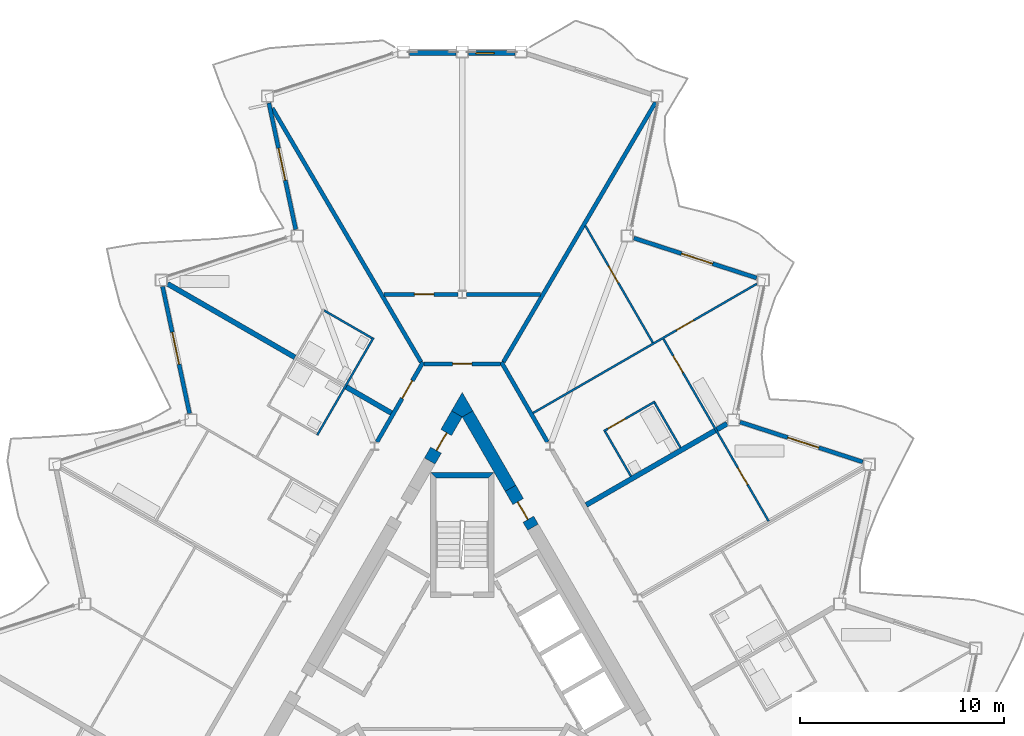
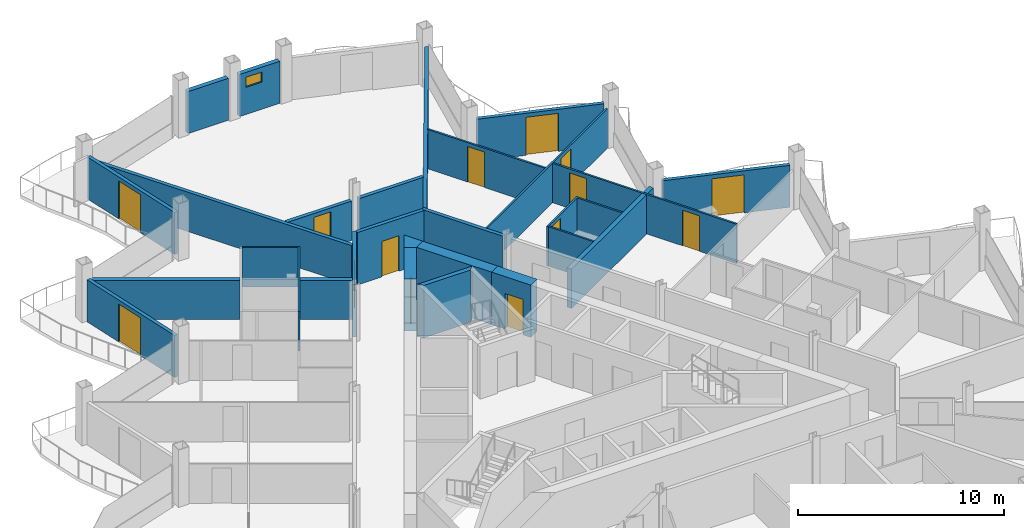
# One storey, part 17 of 26: 29 walls, 14 doors, 1 window, 15 openings.
"""IFC4 building model written with IfcOpenShell, lengths in metres."""

from ifc_helpers import new_model, si_unit, direction, frame, frame_2d, origin, place, context, subcontext, project, spatial, polyline, rectangle, outline, extrude, material, layer, layer_set, type_object, element, fill, save


model = new_model("IFC4")

# Units and contexts
model_context = context("Model", 3, precision=1e-05, world=origin(), true_north=direction((0.0, 1.0)))
body_context = subcontext(model_context, "Body", "Model", "MODEL_VIEW")
ifc_project = project(units=[si_unit("LENGTHUNIT", "METRE"), si_unit("AREAUNIT", "SQUARE_METRE"), si_unit("VOLUMEUNIT", "CUBIC_METRE"), si_unit("PLANEANGLEUNIT", "RADIAN"), si_unit("MASSUNIT", "GRAM", prefix="KILO")], contexts=[model_context])

# Site, building, storey
site_placement = place(None, origin())
site = spatial("IfcSite", under=ifc_project, at=site_placement, CompositionType="ELEMENT")
building_placement = place(site_placement, origin())
building = spatial("IfcBuilding", under=site, at=building_placement, Name="Cormorant Prow Tower", CompositionType="ELEMENT")
storey_placement = place(building_placement, frame((0.0, 0.0, 342.60009765625)))
storey = spatial("IfcBuildingStorey", under=building, at=storey_placement, Name="L77", CompositionType="ELEMENT", Elevation=342.60009765625)

# Walls
ifc_material_1 = material(Name="Concrete 8000 psi", Category="concrete")
ifc_layer_1 = layer(ifc_material_1, 0.60009765625)
ifc_layer_set_1 = layer_set([ifc_layer_1], Name="Concrete 8000 psi")
wall_type_1 = type_object("IfcWallType", Name="Core shear wall 600", PredefinedType="SHEAR", material=ifc_layer_set_1)
wall_1_placement = place(storey_placement, frame((2.36083984375, 10.322021484375, 0.0), z_axis=(0.0, 0.0, 1.0), x_axis=(-0.500000735859, 0.866024978935, 0.0)))
element("IfcWall", 1, at=wall_1_placement, inside=storey, type_object=wall_type_1, Name="Core wall", PredefinedType="SHEAR", context=body_context, shape_type="SweptSolid", body=[
    extrude(rectangle(XDim=4.2021484375, YDim=0.60009765625, at=frame_2d((2.10107421875, 0.0))), origin(), (0.0, 0.0, 1.0), 3.099853515625),
])
wall_2_placement = place(storey_placement, origin())
element("IfcWall", 2, at=wall_2_placement, inside=storey, type_object=wall_type_1, Name="Core wall corner", PredefinedType="SHEAR", context=body_context, shape_type="SweptSolid", body=[
    extrude(outline(polyline([(0.0, 13.81103515625), (-0.51953125, 14.111083984375), (0.0, 15.010986328125), (0.51953125, 14.111083984375), (0.0, 13.81103515625)])), origin(), (0.0, 0.0, 1.0), 3.099853515625),
])

# Wall, opening, door
wall_3_placement = place(storey_placement, frame((3.460693359375, 8.416748046875, 0.0), z_axis=(0.0, 0.0, 1.0), x_axis=(-0.499946605688, 0.86605622881, 0.0)))
wall_3 = element("IfcWall", 3, at=wall_3_placement, inside=storey, type_object=wall_type_1, Name="Core wall door panel", PredefinedType="SHEAR", context=body_context, shape_type="SweptSolid", body=[
    extrude(rectangle(XDim=2.199951171875, YDim=0.60009765625, at=frame_2d((1.10009765625, 0.0))), origin(), (0.0, 0.0, 1.0), 3.099853515625),
])
opening_1_placement = place(wall_3_placement, frame((0.449951171875, 0.0, 0.0)))
opening_1 = element("IfcOpeningElement", 4, at=opening_1_placement, cuts=wall_3, Name="Opening L77-C17", PredefinedType="OPENING", context=body_context, shape_type="SweptSolid", body=[
    extrude(rectangle(XDim=1.0, YDim=2.10009765625, at=frame_2d((0.5, 1.050048828125))), frame((0.0, 0.31005859375, 0.0), z_axis=(0.0, -1.0, 0.0), x_axis=(1.0, 0.0, 0.0)), (0.0, 0.0, 1.0), 0.6201171875),
])
ifc_material_2 = material(Name="Painted steel", Category="steel")
door_type_1 = type_object("IfcDoorType", Name="Service door 1000x2100", OperationType="NOTDEFINED", PredefinedType="DOOR", material=ifc_material_2)
door_1_placement = place(opening_1_placement, origin())
door_1 = element("IfcDoor", 5, at=door_1_placement, inside=storey, type_object=door_type_1, Name="Core door, Mechanical riser room", OperationType="SINGLE_SWING_RIGHT", OverallHeight=2.10009765625, OverallWidth=1.0, PredefinedType="DOOR", context=body_context, shape_type="SweptSolid", body=[
    extrude(rectangle(XDim=1.0, YDim=2.10009765625, at=frame_2d((0.5, 1.050048828125))), frame((0.0, 0.05517578125, 0.0), z_axis=(0.0, -1.0, 0.0), x_axis=(1.0, 0.0, 0.0)), (0.0, 0.0, 1.0), 0.050048828125),
])
fill(opening_1, door_1)

wall_4_placement = place(storey_placement, frame((-0.259765625, 13.961181640625, 0.0), z_axis=(0.0, 0.0, 1.0), x_axis=(-0.49997936161, -0.866037319036, 0.0)))
wall_4 = element("IfcWall", 6, at=wall_4_placement, inside=storey, type_object=wall_type_1, Name="Core wall door panel", PredefinedType="SHEAR", context=body_context, shape_type="SweptSolid", body=[
    extrude(rectangle(XDim=2.65966796875, YDim=0.60009765625, at=frame_2d((1.329833984375, 0.0))), origin(), (0.0, 0.0, 1.0), 3.099853515625),
])
opening_2_placement = place(wall_4_placement, frame((1.050048828125, 0.0, 0.0)))
opening_2 = element("IfcOpeningElement", 7, at=opening_2_placement, cuts=wall_4, Name="Opening L77-C19", PredefinedType="OPENING", context=body_context, shape_type="SweptSolid", body=[
    extrude(rectangle(XDim=1.0, YDim=2.10009765625, at=frame_2d((0.5, 1.050048828125))), frame((0.0, 0.31005859375, 0.0), z_axis=(0.0, -1.0, 0.0), x_axis=(1.0, 0.0, 0.0)), (0.0, 0.0, 1.0), 0.6201171875),
])
door_2_placement = place(opening_2_placement, origin())
door_2 = element("IfcDoor", 8, at=door_2_placement, inside=storey, type_object=door_type_1, Name="Core door, Mechanical riser room", OperationType="SINGLE_SWING_RIGHT", OverallHeight=2.10009765625, OverallWidth=1.0, PredefinedType="DOOR", context=body_context, shape_type="SweptSolid", body=[
    extrude(rectangle(XDim=1.0, YDim=2.10009765625, at=frame_2d((0.5, 1.050048828125))), frame((0.0, 0.05517578125, 0.0), z_axis=(0.0, -1.0, 0.0), x_axis=(1.0, 0.0, 0.0)), (0.0, 0.0, 1.0), 0.050048828125),
])
fill(opening_2, door_2)

ifc_material_3 = material(Name="Gypsum board corridor wall")
ifc_layer_2 = layer(ifc_material_3, 0.199951171875)
ifc_layer_set_2 = layer_set([ifc_layer_2], Name="Gypsum board corridor wall")
wall_type_2 = type_object("IfcWallType", Name="Corridor wall 200", PredefinedType="PARTITIONING", material=ifc_layer_set_2)
wall_5_placement = place(storey_placement, frame((-4.169189453125, 12.589599609375, 0.0), z_axis=(0.0, 0.0, 1.0), x_axis=(0.499950370306, 0.866054055606, 0.0)))
wall_5 = element("IfcWall", 9, at=wall_5_placement, inside=storey, type_object=wall_type_2, Name="Corridor wall", PredefinedType="PARTITIONING", context=body_context, shape_type="SweptSolid", body=[
    extrude(rectangle(XDim=4.5126953125, YDim=0.199951171875, at=frame_2d((2.25634765625, 0.0))), origin(), (0.0, 0.0, 1.0), 3.099853515625),
])
opening_3_placement = place(wall_5_placement, frame((2.459228515625, 0.0, 0.0)))
opening_3 = element("IfcOpeningElement", 10, at=opening_3_placement, cuts=wall_5, Name="Opening L77-F40", PredefinedType="OPENING", context=body_context, shape_type="SweptSolid", body=[
    extrude(rectangle(XDim=1.0, YDim=2.10009765625, at=frame_2d((0.5, 1.050048828125))), frame((0.0, 0.10986328125, 0.0), z_axis=(0.0, -1.0, 0.0), x_axis=(1.0, 0.0, 0.0)), (0.0, 0.0, 1.0), 0.219970703125),
])
ifc_material_4 = material(Name="Timber door leaf", Category="wood")
door_type_2 = type_object("IfcDoorType", Name="Flat or room entrance door 1000x2100", OperationType="NOTDEFINED", PredefinedType="DOOR", material=ifc_material_4)
door_3_placement = place(opening_3_placement, origin())
door_3 = element("IfcDoor", 11, at=door_3_placement, inside=storey, type_object=door_type_2, Name="Studio living, kitchen and sleeping room door", OperationType="SINGLE_SWING_LEFT", OverallHeight=2.10009765625, OverallWidth=1.0, PredefinedType="DOOR", context=body_context, shape_type="SweptSolid", body=[
    extrude(rectangle(XDim=1.0, YDim=2.10009765625, at=frame_2d((0.5, 1.050048828125))), frame((0.0, 0.02490234375, 0.0), z_axis=(0.0, -1.0, 0.0), x_axis=(1.0, 0.0, 0.0)), (0.0, 0.0, 1.0), 0.050048828125),
])
fill(opening_3, door_3)

# Wall
wall_6_placement = place(storey_placement, frame((1.9130859375, 16.497802734375, 0.0), z_axis=(0.0, 0.0, 1.0), x_axis=(0.499950370306, -0.866054055606, 0.0)))
element("IfcWall", 12, at=wall_6_placement, inside=storey, type_object=wall_type_2, Name="Corridor wall", PredefinedType="PARTITIONING", context=body_context, shape_type="SweptSolid", body=[
    extrude(rectangle(XDim=4.5126953125, YDim=0.199951171875, at=frame_2d((2.25634765625, 0.0))), origin(), (0.0, 0.0, 1.0), 3.099853515625),
])

# Wall, opening, door
wall_7_placement = place(storey_placement, frame((-1.863037109375, 16.4111328125, 0.0), z_axis=(0.0, 0.0, 1.0), x_axis=(1.0, 0.0, 0.0)))
wall_7 = element("IfcWall", 13, at=wall_7_placement, inside=storey, type_object=wall_type_2, Name="Corridor wall", PredefinedType="PARTITIONING", context=body_context, shape_type="SweptSolid", body=[
    extrude(rectangle(XDim=3.72607421875, YDim=0.199951171875, at=frame_2d((1.863037109375, 0.0))), origin(), (0.0, 0.0, 1.0), 3.099853515625),
])
opening_4_placement = place(wall_7_placement, frame((1.387939453125, 0.0, 0.0)))
opening_4 = element("IfcOpeningElement", 14, at=opening_4_placement, cuts=wall_7, Name="Opening L77-F38", PredefinedType="OPENING", context=body_context, shape_type="SweptSolid", body=[
    extrude(rectangle(XDim=0.949951171875, YDim=2.10009765625, at=frame_2d((0.47509765625, 1.050048828125))), frame((0.0, 0.10986328125, 0.0), z_axis=(0.0, -1.0, 0.0), x_axis=(1.0, 0.0, 0.0)), (0.0, 0.0, 1.0), 0.219970703125),
])
ifc_material_5 = material(Name="Timber door leaf", Category="wood")
door_type_3 = type_object("IfcDoorType", Name="Store door 950x2100", OperationType="NOTDEFINED", PredefinedType="DOOR", material=ifc_material_5)
door_4_placement = place(opening_4_placement, origin())
door_4 = element("IfcDoor", 15, at=door_4_placement, inside=storey, type_object=door_type_3, Name="Refuse room door", OperationType="SINGLE_SWING_LEFT", OverallHeight=2.10009765625, OverallWidth=0.949951171875, PredefinedType="DOOR", context=body_context, shape_type="SweptSolid", body=[
    extrude(rectangle(XDim=0.949951171875, YDim=2.10009765625, at=frame_2d((0.47509765625, 1.050048828125))), frame((0.0, 0.02490234375, 0.0), z_axis=(0.0, -1.0, 0.0), x_axis=(1.0, 0.0, 0.0)), (0.0, 0.0, 1.0), 0.050048828125),
])
fill(opening_4, door_4)

# Walls
ifc_material_6 = material(Name="Gypsum board demising wall")
ifc_layer_3 = layer(ifc_material_6, 0.199951171875)
ifc_layer_set_3 = layer_set([ifc_layer_3], Name="Gypsum board demising wall")
wall_type_3 = type_object("IfcWallType", Name="Demising wall 200", PredefinedType="PARTITIONING", material=ifc_layer_set_3)
wall_8_placement = place(storey_placement, frame((-9.29248046875, 28.91943359375, 0.0), z_axis=(0.0, 0.0, 1.0), x_axis=(0.505558038556, -0.862792599442, 0.0)))
element("IfcWall", 16, at=wall_8_placement, inside=storey, type_object=wall_type_3, Name="Demising wall", PredefinedType="PARTITIONING", context=body_context, shape_type="SweptSolid", body=[
    extrude(rectangle(XDim=14.3974609375, YDim=0.199951171875, at=frame_2d((7.19873046875, 0.0))), origin(), (0.0, 0.0, 1.0), 2.330078125),
])
wall_9_placement = place(storey_placement, frame((2.013671875, 16.497314453125, 0.0), z_axis=(0.0, 0.0, 1.0), x_axis=(0.5055676136, 0.862786988821, 0.0)))
element("IfcWall", 17, at=wall_9_placement, inside=storey, type_object=wall_type_3, Name="Demising wall", PredefinedType="PARTITIONING", context=body_context, shape_type="SweptSolid", body=[
    extrude(rectangle(XDim=14.7275390625, YDim=0.199951171875, at=frame_2d((7.36376953125, 0.0))), origin(), (0.0, 0.0, 1.0), 2.330078125),
])

# Wall, opening, door
wall_10_placement = place(storey_placement, frame((-3.825927734375, 19.81103515625, 0.0), z_axis=(0.0, 0.0, 1.0), x_axis=(1.0, 0.0, 0.0)))
wall_10 = element("IfcWall", 18, at=wall_10_placement, inside=storey, type_object=wall_type_3, Name="Demising wall", PredefinedType="PARTITIONING", context=body_context, shape_type="SweptSolid", body=[
    extrude(rectangle(XDim=3.6181640625, YDim=0.199951171875, at=frame_2d((1.80908203125, 0.0))), origin(), (0.0, 0.0, 1.0), 2.330078125),
])
opening_5_placement = place(wall_10_placement, frame((1.489013671875, 0.0, 0.0)))
opening_5 = element("IfcOpeningElement", 19, at=opening_5_placement, cuts=wall_10, Name="Opening L77-F39", PredefinedType="OPENING", context=body_context, shape_type="SweptSolid", body=[
    extrude(rectangle(XDim=0.949951171875, YDim=2.10009765625, at=frame_2d((0.47509765625, 1.050048828125))), frame((0.0, 0.10986328125, 0.0), z_axis=(0.0, -1.0, 0.0), x_axis=(1.0, 0.0, 0.0)), (0.0, 0.0, 1.0), 0.219970703125),
])
door_5_placement = place(opening_5_placement, origin())
door_5 = element("IfcDoor", 20, at=door_5_placement, inside=storey, type_object=door_type_3, Name="Bicycle store door", OperationType="SINGLE_SWING_LEFT", OverallHeight=2.10009765625, OverallWidth=0.949951171875, PredefinedType="DOOR", context=body_context, shape_type="SweptSolid", body=[
    extrude(rectangle(XDim=0.949951171875, YDim=2.10009765625, at=frame_2d((0.47509765625, 1.050048828125))), frame((0.0, 0.02490234375, 0.0), z_axis=(0.0, -1.0, 0.0), x_axis=(1.0, 0.0, 0.0)), (0.0, 0.0, 1.0), 0.050048828125),
])
fill(opening_5, door_5)

# Wall
wall_11_placement = place(storey_placement, frame((0.207763671875, 19.81103515625, 0.0), z_axis=(0.0, 0.0, 1.0), x_axis=(1.0, 0.0, 0.0)))
element("IfcWall", 21, at=wall_11_placement, inside=storey, type_object=wall_type_3, Name="Demising wall", PredefinedType="PARTITIONING", context=body_context, shape_type="SweptSolid", body=[
    extrude(rectangle(XDim=3.6181640625, YDim=0.199951171875, at=frame_2d((1.80908203125, 0.0))), origin(), (0.0, 0.0, 1.0), 2.330078125),
])

# Wall, opening, door
ifc_material_7 = material(Name="Gypsum board partition")
ifc_layer_4 = layer(ifc_material_7, 0.10009765625)
ifc_layer_set_4 = layer_set([ifc_layer_4], Name="Gypsum board partition")
wall_type_4 = type_object("IfcWallType", Name="Internal partition 100", PredefinedType="PARTITIONING", material=ifc_layer_set_4)
wall_12_placement = place(storey_placement, frame((3.467529296875, 14.005126953125, 0.0), z_axis=(0.0, 0.0, 1.0), x_axis=(0.866020616849, 0.500008291124, 0.0)))
wall_12 = element("IfcWall", 22, at=wall_12_placement, inside=storey, type_object=wall_type_4, Name="Internal partition", PredefinedType="PARTITIONING", context=body_context, shape_type="SweptSolid", body=[
    extrude(rectangle(XDim=12.642822265625, YDim=0.10009765625, at=frame_2d((6.3212890625, 0.0))), origin(), (0.0, 0.0, 1.0), 2.330078125),
])
opening_6_placement = place(wall_12_placement, frame((8.115234375, 0.0, 0.0)))
opening_6 = element("IfcOpeningElement", 23, at=opening_6_placement, cuts=wall_12, Name="Opening L77-F36", PredefinedType="OPENING", context=body_context, shape_type="SweptSolid", body=[
    extrude(rectangle(XDim=0.949951171875, YDim=2.10009765625, at=frame_2d((0.47509765625, 1.050048828125))), frame((0.0, 0.06005859375, 0.0), z_axis=(0.0, -1.0, 0.0), x_axis=(1.0, 0.0, 0.0)), (0.0, 0.0, 1.0), 0.1201171875),
])
ifc_material_8 = material(Name="Timber door leaf", Category="wood")
door_type_4 = type_object("IfcDoorType", Name="Bathroom door 950x2100", OperationType="NOTDEFINED", PredefinedType="DOOR", material=ifc_material_8)
door_6_placement = place(opening_6_placement, origin())
door_6 = element("IfcDoor", 24, at=door_6_placement, inside=storey, type_object=door_type_4, Name="Kitchen door", OperationType="SINGLE_SWING_LEFT", OverallHeight=2.10009765625, OverallWidth=0.949951171875, PredefinedType="DOOR", context=body_context, shape_type="SweptSolid", body=[
    extrude(rectangle(XDim=0.949951171875, YDim=2.10009765625, at=frame_2d((0.47509765625, 1.050048828125))), frame((0.0, 0.02490234375, 0.0), z_axis=(0.0, -1.0, 0.0), x_axis=(1.0, 0.0, 0.0)), (0.0, 0.0, 1.0), 0.050048828125),
])
fill(opening_6, door_6)

# Wall, openings, doors
wall_13_placement = place(storey_placement, frame((9.84619140625, 17.630126953125, 0.0), z_axis=(0.0, 0.0, 1.0), x_axis=(0.500013259472, -0.866017748289, 0.0)))
wall_13 = element("IfcWall", 25, at=wall_13_placement, inside=storey, type_object=wall_type_4, Name="Internal partition", PredefinedType="PARTITIONING", context=body_context, shape_type="SweptSolid", body=[
    extrude(rectangle(XDim=10.295166015625, YDim=0.10009765625, at=frame_2d((5.1474609375, 0.0))), origin(), (0.0, 0.0, 1.0), 2.330078125),
])
opening_7_placement = place(wall_13_placement, frame((7.285888671875, 0.0, 0.0)))
opening_7 = element("IfcOpeningElement", 26, at=opening_7_placement, cuts=wall_13, Name="Opening L77-F29", PredefinedType="OPENING", context=body_context, shape_type="SweptSolid", body=[
    extrude(rectangle(XDim=0.949951171875, YDim=2.10009765625, at=frame_2d((0.47509765625, 1.050048828125))), frame((0.0, 0.06005859375, 0.0), z_axis=(0.0, -1.0, 0.0), x_axis=(1.0, 0.0, 0.0)), (0.0, 0.0, 1.0), 0.1201171875),
])
opening_8_placement = place(wall_13_placement, frame((0.95361328125, 0.0, 0.0)))
opening_8 = element("IfcOpeningElement", 27, at=opening_8_placement, cuts=wall_13, Name="Opening L77-F35", PredefinedType="OPENING", context=body_context, shape_type="SweptSolid", body=[
    extrude(rectangle(XDim=0.949951171875, YDim=2.10009765625, at=frame_2d((0.47509765625, 1.050048828125))), frame((0.0, 0.06005859375, 0.0), z_axis=(0.0, -1.0, 0.0), x_axis=(1.0, 0.0, 0.0)), (0.0, 0.0, 1.0), 0.1201171875),
])
door_7_placement = place(opening_7_placement, origin())
door_7 = element("IfcDoor", 28, at=door_7_placement, inside=storey, type_object=door_type_4, Name="Living room door", OperationType="SINGLE_SWING_RIGHT", OverallHeight=2.10009765625, OverallWidth=0.949951171875, PredefinedType="DOOR", context=body_context, shape_type="SweptSolid", body=[
    extrude(rectangle(XDim=0.949951171875, YDim=2.10009765625, at=frame_2d((0.47509765625, 1.050048828125))), frame((0.0, 0.02490234375, 0.0), z_axis=(0.0, -1.0, 0.0), x_axis=(1.0, 0.0, 0.0)), (0.0, 0.0, 1.0), 0.050048828125),
])
fill(opening_7, door_7)
door_8_placement = place(opening_8_placement, origin())
door_8 = element("IfcDoor", 29, at=door_8_placement, inside=storey, type_object=door_type_4, Name="Living room door", OperationType="SINGLE_SWING_LEFT", OverallHeight=2.10009765625, OverallWidth=0.949951171875, PredefinedType="DOOR", context=body_context, shape_type="SweptSolid", body=[
    extrude(rectangle(XDim=0.949951171875, YDim=2.10009765625, at=frame_2d((0.47509765625, 1.050048828125))), frame((0.0, 0.02490234375, 0.0), z_axis=(0.0, -1.0, 0.0), x_axis=(1.0, 0.0, 0.0)), (0.0, 0.0, 1.0), 0.050048828125),
])
fill(opening_8, door_8)

# Wall, opening, door
wall_14_placement = place(storey_placement, frame((6.023681640625, 23.1689453125, 0.0), z_axis=(0.0, 0.0, 1.0), x_axis=(0.499997497522, -0.866026848586, 0.0)))
wall_14 = element("IfcWall", 30, at=wall_14_placement, inside=storey, type_object=wall_type_4, Name="Internal partition", PredefinedType="PARTITIONING", context=body_context, shape_type="SweptSolid", body=[
    extrude(rectangle(XDim=6.60791015625, YDim=0.10009765625, at=frame_2d((3.303955078125, 0.0))), origin(), (0.0, 0.0, 1.0), 2.330078125),
])
opening_9_placement = place(wall_14_placement, frame((2.272705078125, 0.0, 0.0)))
opening_9 = element("IfcOpeningElement", 31, at=opening_9_placement, cuts=wall_14, Name="Opening L77-F37", PredefinedType="OPENING", context=body_context, shape_type="SweptSolid", body=[
    extrude(rectangle(XDim=0.949951171875, YDim=2.10009765625, at=frame_2d((0.47509765625, 1.050048828125))), frame((0.0, 0.06005859375, 0.0), z_axis=(0.0, -1.0, 0.0), x_axis=(1.0, 0.0, 0.0)), (0.0, 0.0, 1.0), 0.1201171875),
])
door_9_placement = place(opening_9_placement, origin())
door_9 = element("IfcDoor", 32, at=door_9_placement, inside=storey, type_object=door_type_4, Name="Bedroom door", OperationType="SINGLE_SWING_RIGHT", OverallHeight=2.10009765625, OverallWidth=0.949951171875, PredefinedType="DOOR", context=body_context, shape_type="SweptSolid", body=[
    extrude(rectangle(XDim=0.949951171875, YDim=2.10009765625, at=frame_2d((0.47509765625, 1.050048828125))), frame((0.0, 0.02490234375, 0.0), z_axis=(0.0, -1.0, 0.0), x_axis=(1.0, 0.0, 0.0)), (0.0, 0.0, 1.0), 0.050048828125),
])
fill(opening_9, door_9)

# Wall
wall_15_placement = place(storey_placement, frame((-7.09423828125, 12.923583984375, 0.0), z_axis=(0.0, 0.0, 1.0), x_axis=(0.499996545922, 0.866027397988, 0.0)))
element("IfcWall", 33, at=wall_15_placement, inside=storey, type_object=wall_type_4, Name="Internal partition", PredefinedType="PARTITIONING", context=body_context, shape_type="SweptSolid", body=[
    extrude(rectangle(XDim=5.5, YDim=0.10009765625, at=frame_2d((2.75, 0.0))), origin(), (0.0, 0.0, 1.0), 2.330078125),
])

# Wall, opening, door
wall_16_placement = place(storey_placement, frame((6.9248046875, 13.1171875, 0.0), z_axis=(0.0, 0.0, 1.0), x_axis=(0.866011727401, 0.500023687443, 0.0)))
wall_16 = element("IfcWall", 34, at=wall_16_placement, inside=storey, type_object=wall_type_4, Name="Internal partition", PredefinedType="PARTITIONING", context=body_context, shape_type="SweptSolid", body=[
    extrude(rectangle(XDim=2.899658203125, YDim=0.10009765625, at=frame_2d((1.44970703125, 0.0))), origin(), (0.0, 0.0, 1.0), 2.330078125),
])
opening_10_placement = place(wall_16_placement, frame((0.25, 0.0, 0.0)))
opening_10 = element("IfcOpeningElement", 35, at=opening_10_placement, cuts=wall_16, Name="Opening L77-F34", PredefinedType="OPENING", context=body_context, shape_type="SweptSolid", body=[
    extrude(rectangle(XDim=0.949951171875, YDim=2.10009765625, at=frame_2d((0.47509765625, 1.050048828125))), frame((0.0, 0.06005859375, 0.0), z_axis=(0.0, -1.0, 0.0), x_axis=(1.0, 0.0, 0.0)), (0.0, 0.0, 1.0), 0.1201171875),
])
door_10_placement = place(opening_10_placement, origin())
door_10 = element("IfcDoor", 36, at=door_10_placement, inside=storey, type_object=door_type_4, Name="Living room door", OperationType="SINGLE_SWING_LEFT", OverallHeight=2.10009765625, OverallWidth=0.949951171875, PredefinedType="DOOR", context=body_context, shape_type="SweptSolid", body=[
    extrude(rectangle(XDim=0.949951171875, YDim=2.10009765625, at=frame_2d((0.47509765625, 1.050048828125))), frame((0.0, 0.02490234375, 0.0), z_axis=(0.0, -1.0, 0.0), x_axis=(1.0, 0.0, 0.0)), (0.0, 0.0, 1.0), 0.050048828125),
])
fill(opening_10, door_10)

# Walls
wall_17_placement = place(storey_placement, frame((-6.750732421875, 19.018310546875, 0.0), z_axis=(0.0, 0.0, 1.0), x_axis=(0.866036505625, -0.499980770555, 0.0)))
element("IfcWall", 37, at=wall_17_placement, inside=storey, type_object=wall_type_4, Name="Internal partition", PredefinedType="PARTITIONING", context=body_context, shape_type="SweptSolid", body=[
    extrude(rectangle(XDim=2.69970703125, YDim=0.10009765625, at=frame_2d((1.349853515625, 0.0))), origin(), (0.0, 0.0, 1.0), 2.330078125),
])
wall_18_placement = place(storey_placement, frame((9.417724609375, 14.498779296875, 0.0), z_axis=(0.0, 0.0, 1.0), x_axis=(0.500090717682, -0.865973021571, 0.0)))
element("IfcWall", 38, at=wall_18_placement, inside=storey, type_object=wall_type_4, Name="Internal partition", PredefinedType="PARTITIONING", context=body_context, shape_type="SweptSolid", body=[
    extrude(rectangle(XDim=2.52490234375, YDim=0.10009765625, at=frame_2d((1.262451171875, 0.0))), origin(), (0.0, 0.0, 1.0), 2.330078125),
])
wall_19_placement = place(storey_placement, frame((6.992919921875, 13.098876953125, 0.0), z_axis=(0.0, 0.0, 1.0), x_axis=(0.500048846702, -0.865997200291, 0.0)))
element("IfcWall", 39, at=wall_19_placement, inside=storey, type_object=wall_type_4, Name="Internal partition", PredefinedType="PARTITIONING", context=body_context, shape_type="SweptSolid", body=[
    extrude(rectangle(XDim=2.525146484375, YDim=0.10009765625, at=frame_2d((1.2626953125, 0.0))), origin(), (0.0, 0.0, 1.0), 2.330078125),
])
ifc_material_9 = material(Name="Concrete 8000 psi", Category="concrete")
ifc_layer_5 = layer(ifc_material_9, 0.25)
ifc_layer_set_5 = layer_set([ifc_layer_5], Name="Concrete 8000 psi")
wall_type_5 = type_object("IfcWallType", Name="Stair wall 250", PredefinedType="SHEAR", material=ifc_layer_set_5)
wall_20_placement = place(storey_placement, origin())
element("IfcWall", 40, at=wall_20_placement, inside=storey, type_object=wall_type_5, Name="Stair ST3 enclosure wall (end)", PredefinedType="SHEAR", context=body_context, shape_type="SweptSolid", body=[
    extrude(outline(polyline([(1.5439453125, 11.0869140625), (-1.5439453125, 11.0869140625), (-1.2939453125, 10.8369140625), (1.2939453125, 10.8369140625), (1.5439453125, 11.0869140625)])), origin(), (0.0, 0.0, 1.0), 3.099853515625),
])
ifc_material_10 = material(Name="Acoustic gypsum party wall")
ifc_layer_6 = layer(ifc_material_10, 0.25)
ifc_layer_set_6 = layer_set([ifc_layer_6], Name="Acoustic gypsum party wall")
wall_type_6 = type_object("IfcWallType", Name="Suite party wall 250", PredefinedType="PARTITIONING", material=ifc_layer_set_6)
wall_21_placement = place(storey_placement, frame((6.06640625, 9.50390625, 0.0), z_axis=(0.0, 0.0, 1.0), x_axis=(0.866021168401, 0.500007335828, 0.0)))
element("IfcWall", 41, at=wall_21_placement, inside=storey, type_object=wall_type_6, Name="Suite party wall", PredefinedType="PARTITIONING", context=body_context, shape_type="SweptSolid", body=[
    extrude(rectangle(XDim=7.96240234375, YDim=0.25, at=frame_2d((3.981201171875, 0.0))), origin(), (0.0, 0.0, 1.0), 2.330078125),
])
wall_22_placement = place(storey_placement, frame((-14.41650390625, 20.32666015625, 0.0), z_axis=(0.0, 0.0, 1.0), x_axis=(0.866018271907, -0.50001235257, 0.0)))
element("IfcWall", 42, at=wall_22_placement, inside=storey, type_object=wall_type_6, Name="Suite party wall", PredefinedType="PARTITIONING", context=body_context, shape_type="SweptSolid", body=[
    extrude(rectangle(XDim=7.192626953125, YDim=0.25, at=frame_2d((3.59619140625, 0.0))), origin(), (0.0, 0.0, 1.0), 2.330078125),
])
wall_23_placement = place(storey_placement, frame((-5.67578125, 15.2802734375, 0.0), z_axis=(0.0, 0.0, 1.0), x_axis=(0.865989465428, -0.500062241894, 0.0)))
element("IfcWall", 43, at=wall_23_placement, inside=storey, type_object=wall_type_6, Name="Suite party wall", PredefinedType="PARTITIONING", context=body_context, shape_type="SweptSolid", body=[
    extrude(rectangle(XDim=2.550048828125, YDim=0.25, at=frame_2d((1.27490234375, 0.0))), origin(), (0.0, 0.0, 1.0), 2.330078125),
])

# Wall, opening, window
ifc_material_11 = material(Name="Terracotta", Category="masonry")
ifc_layer_7 = layer(ifc_material_11, 0.25)
ifc_layer_set_7 = layer_set([ifc_layer_7], Name="Terracotta")
wall_type_7 = type_object("IfcWallType", Name="Terracotta bay wall 250", PredefinedType="SOLIDWALL", material=ifc_layer_set_7)
wall_24_placement = place(storey_placement, frame((2.57373046875, 31.61376953125, 0.0), z_axis=(0.0, 0.0, 1.0), x_axis=(-1.0, 0.0, 0.0)))
wall_24 = element("IfcWall", 44, at=wall_24_placement, inside=storey, type_object=wall_type_7, Name="Terracotta bay wall N00", PredefinedType="SOLIDWALL", context=body_context, shape_type="SweptSolid", body=[
    extrude(rectangle(XDim=2.273681640625, YDim=0.25, at=frame_2d((1.13671875, 0.0))), origin(), (0.0, 0.0, 1.0), 2.48779296875),
])
opening_11_placement = place(wall_24_placement, frame((1.010009765625, 0.0, 1.60009765625)))
opening_11 = element("IfcOpeningElement", 45, at=opening_11_placement, cuts=wall_24, Name="Opening WN7", PredefinedType="OPENING", context=body_context, shape_type="SweptSolid", body=[
    extrude(rectangle(XDim=0.89990234375, YDim=0.60009765625, at=frame_2d((0.449951171875, 0.300048828125))), frame((0.0, 0.135009765625, 0.0), z_axis=(0.0, -1.0, 0.0), x_axis=(1.0, 0.0, 0.0)), (0.0, 0.0, 1.0), 0.27001953125),
])
ifc_material_12 = material(Name="Aluminium 6063-T6", Category="aluminium")
window_type = type_object("IfcWindowType", Name="Corner bay window 900x600", PartitioningType="SINGLE_PANEL", PredefinedType="WINDOW", material=ifc_material_12)
window_placement = place(opening_11_placement, origin())
window = element("IfcWindow", 46, at=window_placement, inside=storey, type_object=window_type, Name="Corner bay window N00", OverallHeight=0.60009765625, OverallWidth=0.89990234375, PartitioningType="SINGLE_PANEL", PredefinedType="WINDOW", context=body_context, shape_type="SweptSolid", body=[
    extrude(rectangle(XDim=0.89990234375, YDim=0.60009765625, at=frame_2d((0.449951171875, 0.300048828125))), frame((0.0, 0.030029296875, 0.0), z_axis=(0.0, -1.0, 0.0), x_axis=(1.0, 0.0, 0.0)), (0.0, 0.0, 1.0), 0.06005859375),
])
fill(opening_11, window)

# Wall
wall_25_placement = place(storey_placement, frame((-0.300048828125, 31.61376953125, 0.0), z_axis=(0.0, 0.0, 1.0), x_axis=(-1.0, 0.0, 0.0)))
element("IfcWall", 47, at=wall_25_placement, inside=storey, type_object=wall_type_7, Name="Terracotta bay wall N01", PredefinedType="SOLIDWALL", context=body_context, shape_type="SweptSolid", body=[
    extrude(rectangle(XDim=2.273681640625, YDim=0.25, at=frame_2d((1.13671875, 0.0))), origin(), (0.0, 0.0, 1.0), 2.48779296875),
])

# Wall, opening, door
ifc_material_13 = material(Name="Terracotta", Category="masonry")
ifc_layer_8 = layer(ifc_material_13, 0.199951171875)
ifc_layer_set_8 = layer_set([ifc_layer_8], Name="Terracotta")
wall_type_8 = type_object("IfcWallType", Name="Terracotta jamb wall 200", PredefinedType="SOLIDWALL", material=ifc_layer_set_8)
wall_26_placement = place(storey_placement, frame((19.600830078125, 11.61181640625, 0.0), z_axis=(0.0, 0.0, 1.0), x_axis=(-0.951065041052, 0.308990756638, 0.0)))
wall_26 = element("IfcWall", 48, at=wall_26_placement, inside=storey, type_object=wall_type_8, Name="Terracotta jamb wall ENE05", PredefinedType="SOLIDWALL", context=body_context, shape_type="SweptSolid", body=[
    extrude(rectangle(XDim=6.31298828125, YDim=0.199951171875, at=frame_2d((3.156494140625, 0.0))), origin(), (0.0, 0.0, 1.0), 2.48779296875),
])
opening_12_placement = place(wall_26_placement, frame((2.262939453125, 0.0, 0.0)))
opening_12 = element("IfcOpeningElement", 49, at=opening_12_placement, cuts=wall_26, Name="Opening ED77.08", PredefinedType="OPENING", context=body_context, shape_type="SweptSolid", body=[
    extrude(rectangle(XDim=1.60009765625, YDim=2.25, at=frame_2d((0.800048828125, 1.125))), frame((0.0, 0.10986328125, 0.0), z_axis=(0.0, -1.0, 0.0), x_axis=(1.0, 0.0, 0.0)), (0.0, 0.0, 1.0), 0.219970703125),
])
ifc_material_14 = material(Name="Aluminium 6063-T6", Category="aluminium")
door_type_5 = type_object("IfcDoorType", Name="Balcony door 1600x2250", OperationType="DOUBLE_DOOR_SINGLE_SWING", PredefinedType="DOOR", material=ifc_material_14)
door_11_placement = place(opening_12_placement, origin())
door_11 = element("IfcDoor", 50, at=door_11_placement, inside=storey, type_object=door_type_5, Name="Balcony door ENE05 ED77.08", OperationType="DOUBLE_DOOR_SINGLE_SWING", OverallHeight=2.25, OverallWidth=1.60009765625, PredefinedType="DOOR", context=body_context, shape_type="SweptSolid", body=[
    extrude(rectangle(XDim=1.60009765625, YDim=2.25, at=frame_2d((0.800048828125, 1.125))), frame((0.0, 0.02490234375, 0.0), z_axis=(0.0, -1.0, 0.0), x_axis=(1.0, 0.0, 0.0)), (0.0, 0.0, 1.0), 0.050048828125),
])
fill(opening_12, door_11)

wall_27_placement = place(storey_placement, frame((14.4033203125, 20.614013671875, 0.0), z_axis=(0.0, 0.0, 1.0), x_axis=(-0.951053103012, 0.309027499182, 0.0)))
wall_27 = element("IfcWall", 51, at=wall_27_placement, inside=storey, type_object=wall_type_8, Name="Terracotta jamb wall ENE07", PredefinedType="SOLIDWALL", context=body_context, shape_type="SweptSolid", body=[
    extrude(rectangle(XDim=6.314697265625, YDim=0.199951171875, at=frame_2d((3.1572265625, 0.0))), origin(), (0.0, 0.0, 1.0), 2.48779296875),
])
opening_13_placement = place(wall_27_placement, frame((2.262939453125, 0.0, 0.0)))
opening_13 = element("IfcOpeningElement", 52, at=opening_13_placement, cuts=wall_27, Name="Opening ED77.09", PredefinedType="OPENING", context=body_context, shape_type="SweptSolid", body=[
    extrude(rectangle(XDim=1.60009765625, YDim=2.25, at=frame_2d((0.800048828125, 1.125))), frame((0.0, 0.10986328125, 0.0), z_axis=(0.0, -1.0, 0.0), x_axis=(1.0, 0.0, 0.0)), (0.0, 0.0, 1.0), 0.219970703125),
])
door_12_placement = place(opening_13_placement, origin())
door_12 = element("IfcDoor", 53, at=door_12_placement, inside=storey, type_object=door_type_5, Name="Balcony door ENE07 ED77.09", OperationType="DOUBLE_DOOR_SINGLE_SWING", OverallHeight=2.25, OverallWidth=1.60009765625, PredefinedType="DOOR", context=body_context, shape_type="SweptSolid", body=[
    extrude(rectangle(XDim=1.60009765625, YDim=2.25, at=frame_2d((0.800048828125, 1.125))), frame((0.0, 0.02490234375, 0.0), z_axis=(0.0, -1.0, 0.0), x_axis=(1.0, 0.0, 0.0)), (0.0, 0.0, 1.0), 0.050048828125),
])
fill(opening_13, door_12)

wall_28_placement = place(storey_placement, frame((-9.46142578125, 29.173828125, 0.0), z_axis=(0.0, 0.0, 1.0), x_axis=(0.20791277238, -0.97814737084, 0.0)))
wall_28 = element("IfcWall", 54, at=wall_28_placement, inside=storey, type_object=wall_type_8, Name="Terracotta jamb wall WNW01", PredefinedType="SOLIDWALL", context=body_context, shape_type="SweptSolid", body=[
    extrude(rectangle(XDim=6.324462890625, YDim=0.199951171875, at=frame_2d((3.162109375, 0.0))), origin(), (0.0, 0.0, 1.0), 2.48779296875),
])
opening_14_placement = place(wall_28_placement, frame((2.262939453125, 0.0, 0.0)))
opening_14 = element("IfcOpeningElement", 55, at=opening_14_placement, cuts=wall_28, Name="Opening ED77.11", PredefinedType="OPENING", context=body_context, shape_type="SweptSolid", body=[
    extrude(rectangle(XDim=1.60009765625, YDim=2.25, at=frame_2d((0.800048828125, 1.125))), frame((0.0, 0.10986328125, 0.0), z_axis=(0.0, -1.0, 0.0), x_axis=(1.0, 0.0, 0.0)), (0.0, 0.0, 1.0), 0.219970703125),
])
door_13_placement = place(opening_14_placement, origin())
door_13 = element("IfcDoor", 56, at=door_13_placement, inside=storey, type_object=door_type_5, Name="Balcony door WNW01 ED77.11", OperationType="DOUBLE_DOOR_SINGLE_SWING", OverallHeight=2.25, OverallWidth=1.60009765625, PredefinedType="DOOR", context=body_context, shape_type="SweptSolid", body=[
    extrude(rectangle(XDim=1.60009765625, YDim=2.25, at=frame_2d((0.800048828125, 1.125))), frame((0.0, 0.02490234375, 0.0), z_axis=(0.0, -1.0, 0.0), x_axis=(1.0, 0.0, 0.0)), (0.0, 0.0, 1.0), 0.050048828125),
])
fill(opening_14, door_13)

wall_29_placement = place(storey_placement, frame((-14.663330078125, 20.1923828125, 0.0), z_axis=(0.0, 0.0, 1.0), x_axis=(0.207897850695, -0.97815054244, 0.0)))
wall_29 = element("IfcWall", 57, at=wall_29_placement, inside=storey, type_object=wall_type_8, Name="Terracotta jamb wall WNW03", PredefinedType="SOLIDWALL", context=body_context, shape_type="SweptSolid", body=[
    extrude(rectangle(XDim=6.348388671875, YDim=0.199951171875, at=frame_2d((3.17431640625, 0.0))), origin(), (0.0, 0.0, 1.0), 2.48779296875),
])
opening_15_placement = place(wall_29_placement, frame((2.28466796875, 0.0, 0.0)))
opening_15 = element("IfcOpeningElement", 58, at=opening_15_placement, cuts=wall_29, Name="Opening ED77.12", PredefinedType="OPENING", context=body_context, shape_type="SweptSolid", body=[
    extrude(rectangle(XDim=1.60009765625, YDim=2.25, at=frame_2d((0.800048828125, 1.125))), frame((0.0, 0.10986328125, 0.0), z_axis=(0.0, -1.0, 0.0), x_axis=(1.0, 0.0, 0.0)), (0.0, 0.0, 1.0), 0.219970703125),
])
door_14_placement = place(opening_15_placement, origin())
door_14 = element("IfcDoor", 59, at=door_14_placement, inside=storey, type_object=door_type_5, Name="Balcony door WNW03 ED77.12", OperationType="DOUBLE_DOOR_SINGLE_SWING", OverallHeight=2.25, OverallWidth=1.60009765625, PredefinedType="DOOR", context=body_context, shape_type="SweptSolid", body=[
    extrude(rectangle(XDim=1.60009765625, YDim=2.25, at=frame_2d((0.800048828125, 1.125))), frame((0.0, 0.02490234375, 0.0), z_axis=(0.0, -1.0, 0.0), x_axis=(1.0, 0.0, 0.0)), (0.0, 0.0, 1.0), 0.050048828125),
])
fill(opening_15, door_14)

save(model, "model.ifc")
